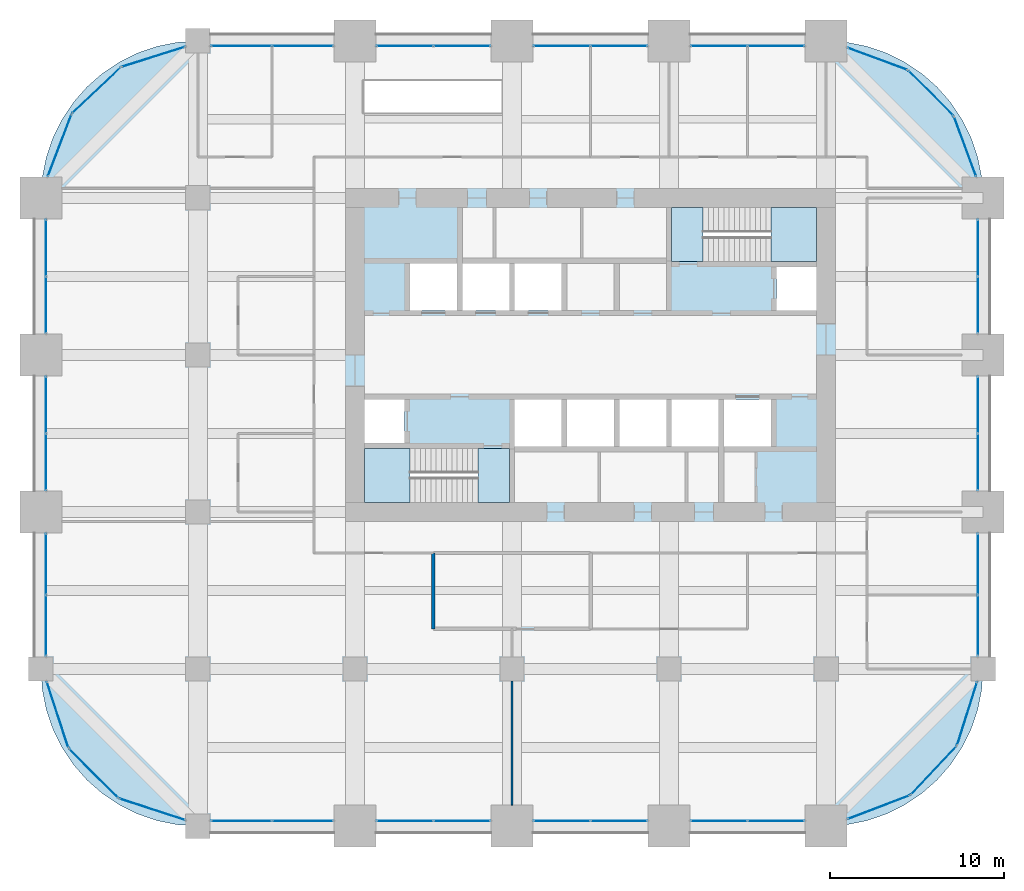
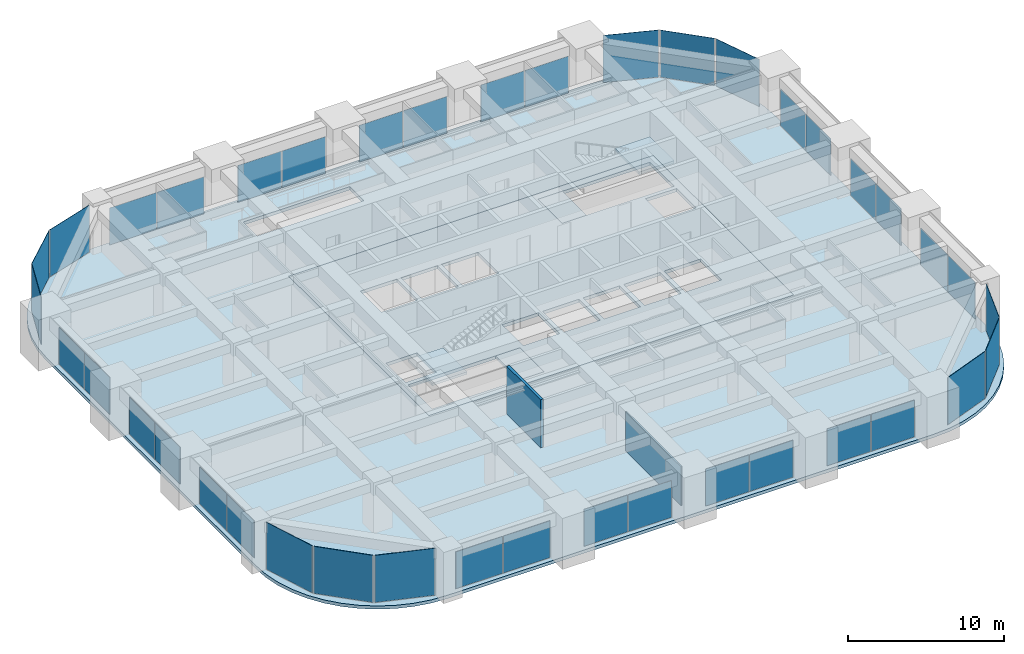
# One storey, part 28 of 32: 40 plates, 6 slabs, 2 walls, 28 elements without a shape of their own.
"""IFC4 building model written with IfcOpenShell, lengths in metres."""

from ifc_helpers import new_model, si_unit, direction, frame, frame_2d, origin, origin_2d, place, context, subcontext, project, spatial, polyline, rectangle, outline, extrude, material, layer, layer_set, type_object, element, aggregate, save


model = new_model("IFC4")

# Units and contexts
model_context = context("Model", 3, precision=1e-05, world=origin(), true_north=direction((0.0, 1.0)))
body_context = subcontext(model_context, "Body", "Model", "MODEL_VIEW")
ifc_project = project(units=[si_unit("LENGTHUNIT", "METRE"), si_unit("AREAUNIT", "SQUARE_METRE"), si_unit("VOLUMEUNIT", "CUBIC_METRE"), si_unit("PLANEANGLEUNIT", "RADIAN"), si_unit("MASSUNIT", "GRAM", prefix="KILO")], contexts=[model_context])

# Site, building, storey
site_placement = place(None, origin())
site = spatial("IfcSite", under=ifc_project, at=site_placement, CompositionType="ELEMENT")
building_placement = place(site_placement, origin())
building = spatial("IfcBuilding", under=site, at=building_placement, Name="Zorevar Civic Tower", CompositionType="ELEMENT")
storey_placement = place(building_placement, frame((0.0, 0.0, 198.199951171875)))
storey = spatial("IfcBuildingStorey", under=building, at=storey_placement, Name="L48", CompositionType="ELEMENT", Elevation=198.199951171875)

# Curtain wall, plates
ifc_material_1 = material(Name="Dark grey solar-control glass in black aluminium frame", Category="aluminium")
curtain_wall_type = type_object("IfcCurtainWallType", Name="Curtain wall CW4 high zone", PredefinedType="NOTDEFINED", material=ifc_material_1)
curtain_wall_1_placement = place(storey_placement, origin())
curtain_wall_1 = element("IfcCurtainWall", 1, at=curtain_wall_1_placement, inside=storey, type_object=curtain_wall_type, Name="CW4 L48", PredefinedType="NOTDEFINED")
ifc_material_2 = material(Name="Dark grey solar-control glass", Category="glass")
ifc_layer_1 = layer(ifc_material_2, 0.028076171875)
ifc_layer_set_1 = layer_set([ifc_layer_1], Name="CW4 panel 28")
plate_type = type_object("IfcPlateType", Name="CW4 panel 28", PredefinedType="CURTAIN_PANEL", material=ifc_layer_set_1)
plate_1_placement = place(storey_placement, frame((11.489990234375, 0.300048828125, 0.06005859375), z_axis=(0.0, 0.0, 1.0), x_axis=(1.0, 0.0, 0.0)))
plate_1 = element("IfcPlate", 2, at=plate_1_placement, type_object=plate_type, Name="CW4 panel 1.1", PredefinedType="CURTAIN_PANEL", context=body_context, shape_type="SweptSolid", body=[
    extrude(rectangle(XDim=3.4599609375, YDim=0.028076171875, at=origin_2d()), origin(), (0.0, 0.0, 1.0), 2.889892578125),
])
plate_2_placement = place(storey_placement, frame((15.010009765625, 0.300048828125, 0.06005859375), z_axis=(0.0, 0.0, 1.0), x_axis=(1.0, 0.0, 0.0)))
plate_2 = element("IfcPlate", 3, at=plate_2_placement, type_object=plate_type, Name="CW4 panel 2.1", PredefinedType="CURTAIN_PANEL", context=body_context, shape_type="SweptSolid", body=[
    extrude(rectangle(XDim=3.4599609375, YDim=0.028076171875, at=origin_2d()), origin(), (0.0, 0.0, 1.0), 2.889892578125),
])
aggregate(curtain_wall_1, [plate_1, plate_2])

curtain_wall_2_placement = place(storey_placement, origin())
curtain_wall_2 = element("IfcCurtainWall", 4, at=curtain_wall_2_placement, inside=storey, type_object=curtain_wall_type, Name="CW4 L48", PredefinedType="NOTDEFINED")
plate_3_placement = place(storey_placement, frame((11.489990234375, 44.699951171875, 0.06005859375), z_axis=(0.0, 0.0, 1.0), x_axis=(1.0, 0.0, 0.0)))
plate_3 = element("IfcPlate", 5, at=plate_3_placement, type_object=plate_type, Name="CW4 panel 1.1", PredefinedType="CURTAIN_PANEL", context=body_context, shape_type="SweptSolid", body=[
    extrude(rectangle(XDim=3.4599609375, YDim=0.028076171875, at=origin_2d()), origin(), (0.0, 0.0, 1.0), 2.889892578125),
])
plate_4_placement = place(storey_placement, frame((15.010009765625, 44.699951171875, 0.06005859375), z_axis=(0.0, 0.0, 1.0), x_axis=(1.0, 0.0, 0.0)))
plate_4 = element("IfcPlate", 6, at=plate_4_placement, type_object=plate_type, Name="CW4 panel 2.1", PredefinedType="CURTAIN_PANEL", context=body_context, shape_type="SweptSolid", body=[
    extrude(rectangle(XDim=3.4599609375, YDim=0.028076171875, at=origin_2d()), origin(), (0.0, 0.0, 1.0), 2.889892578125),
])
aggregate(curtain_wall_2, [plate_3, plate_4])

curtain_wall_3_placement = place(storey_placement, origin())
curtain_wall_3 = element("IfcCurtainWall", 7, at=curtain_wall_3_placement, inside=storey, type_object=curtain_wall_type, Name="CW4 L48", PredefinedType="NOTDEFINED")
plate_5_placement = place(storey_placement, frame((20.864990234375, 0.300048828125, 0.06005859375), z_axis=(0.0, 0.0, 1.0), x_axis=(1.0, 0.0, 0.0)))
plate_5 = element("IfcPlate", 8, at=plate_5_placement, type_object=plate_type, Name="CW4 panel 1.1", PredefinedType="CURTAIN_PANEL", context=body_context, shape_type="SweptSolid", body=[
    extrude(rectangle(XDim=3.2099609375, YDim=0.028076171875, at=origin_2d()), origin(), (0.0, 0.0, 1.0), 2.889892578125),
])
plate_6_placement = place(storey_placement, frame((24.135009765625, 0.300048828125, 0.06005859375), z_axis=(0.0, 0.0, 1.0), x_axis=(1.0, 0.0, 0.0)))
plate_6 = element("IfcPlate", 9, at=plate_6_placement, type_object=plate_type, Name="CW4 panel 2.1", PredefinedType="CURTAIN_PANEL", context=body_context, shape_type="SweptSolid", body=[
    extrude(rectangle(XDim=3.2099609375, YDim=0.028076171875, at=origin_2d()), origin(), (0.0, 0.0, 1.0), 2.889892578125),
])
aggregate(curtain_wall_3, [plate_5, plate_6])

curtain_wall_4_placement = place(storey_placement, origin())
curtain_wall_4 = element("IfcCurtainWall", 10, at=curtain_wall_4_placement, inside=storey, type_object=curtain_wall_type, Name="CW4 L48", PredefinedType="NOTDEFINED")
plate_7_placement = place(storey_placement, frame((20.864990234375, 44.699951171875, 0.06005859375), z_axis=(0.0, 0.0, 1.0), x_axis=(1.0, 0.0, 0.0)))
plate_7 = element("IfcPlate", 11, at=plate_7_placement, type_object=plate_type, Name="CW4 panel 1.1", PredefinedType="CURTAIN_PANEL", context=body_context, shape_type="SweptSolid", body=[
    extrude(rectangle(XDim=3.2099609375, YDim=0.028076171875, at=origin_2d()), origin(), (0.0, 0.0, 1.0), 2.889892578125),
])
plate_8_placement = place(storey_placement, frame((24.135009765625, 44.699951171875, 0.06005859375), z_axis=(0.0, 0.0, 1.0), x_axis=(1.0, 0.0, 0.0)))
plate_8 = element("IfcPlate", 12, at=plate_8_placement, type_object=plate_type, Name="CW4 panel 2.1", PredefinedType="CURTAIN_PANEL", context=body_context, shape_type="SweptSolid", body=[
    extrude(rectangle(XDim=3.2099609375, YDim=0.028076171875, at=origin_2d()), origin(), (0.0, 0.0, 1.0), 2.889892578125),
])
aggregate(curtain_wall_4, [plate_7, plate_8])

curtain_wall_5_placement = place(storey_placement, origin())
curtain_wall_5 = element("IfcCurtainWall", 13, at=curtain_wall_5_placement, inside=storey, type_object=curtain_wall_type, Name="CW4 L48", PredefinedType="NOTDEFINED")
plate_9_placement = place(storey_placement, frame((29.864990234375, 0.300048828125, 0.06005859375), z_axis=(0.0, 0.0, 1.0), x_axis=(1.0, 0.0, 0.0)))
plate_9 = element("IfcPlate", 14, at=plate_9_placement, type_object=plate_type, Name="CW4 panel 1.1", PredefinedType="CURTAIN_PANEL", context=body_context, shape_type="SweptSolid", body=[
    extrude(rectangle(XDim=3.2099609375, YDim=0.028076171875, at=origin_2d()), origin(), (0.0, 0.0, 1.0), 2.889892578125),
])
plate_10_placement = place(storey_placement, frame((33.135009765625, 0.300048828125, 0.06005859375), z_axis=(0.0, 0.0, 1.0), x_axis=(1.0, 0.0, 0.0)))
plate_10 = element("IfcPlate", 15, at=plate_10_placement, type_object=plate_type, Name="CW4 panel 2.1", PredefinedType="CURTAIN_PANEL", context=body_context, shape_type="SweptSolid", body=[
    extrude(rectangle(XDim=3.2099609375, YDim=0.028076171875, at=origin_2d()), origin(), (0.0, 0.0, 1.0), 2.889892578125),
])
aggregate(curtain_wall_5, [plate_9, plate_10])

curtain_wall_6_placement = place(storey_placement, origin())
curtain_wall_6 = element("IfcCurtainWall", 16, at=curtain_wall_6_placement, inside=storey, type_object=curtain_wall_type, Name="CW4 L48", PredefinedType="NOTDEFINED")
plate_11_placement = place(storey_placement, frame((29.864990234375, 44.699951171875, 0.06005859375), z_axis=(0.0, 0.0, 1.0), x_axis=(1.0, 0.0, 0.0)))
plate_11 = element("IfcPlate", 17, at=plate_11_placement, type_object=plate_type, Name="CW4 panel 1.1", PredefinedType="CURTAIN_PANEL", context=body_context, shape_type="SweptSolid", body=[
    extrude(rectangle(XDim=3.2099609375, YDim=0.028076171875, at=origin_2d()), origin(), (0.0, 0.0, 1.0), 2.889892578125),
])
plate_12_placement = place(storey_placement, frame((33.135009765625, 44.699951171875, 0.06005859375), z_axis=(0.0, 0.0, 1.0), x_axis=(1.0, 0.0, 0.0)))
plate_12 = element("IfcPlate", 18, at=plate_12_placement, type_object=plate_type, Name="CW4 panel 2.1", PredefinedType="CURTAIN_PANEL", context=body_context, shape_type="SweptSolid", body=[
    extrude(rectangle(XDim=3.2099609375, YDim=0.028076171875, at=origin_2d()), origin(), (0.0, 0.0, 1.0), 2.889892578125),
])
aggregate(curtain_wall_6, [plate_11, plate_12])

curtain_wall_7_placement = place(storey_placement, origin())
curtain_wall_7 = element("IfcCurtainWall", 19, at=curtain_wall_7_placement, inside=storey, type_object=curtain_wall_type, Name="CW4 L48", PredefinedType="NOTDEFINED")
plate_13_placement = place(storey_placement, frame((38.864990234375, 0.300048828125, 0.06005859375), z_axis=(0.0, 0.0, 1.0), x_axis=(1.0, 0.0, 0.0)))
plate_13 = element("IfcPlate", 20, at=plate_13_placement, type_object=plate_type, Name="CW4 panel 1.1", PredefinedType="CURTAIN_PANEL", context=body_context, shape_type="SweptSolid", body=[
    extrude(rectangle(XDim=3.2099609375, YDim=0.028076171875, at=origin_2d()), origin(), (0.0, 0.0, 1.0), 2.889892578125),
])
plate_14_placement = place(storey_placement, frame((42.135009765625, 0.300048828125, 0.06005859375), z_axis=(0.0, 0.0, 1.0), x_axis=(1.0, 0.0, 0.0)))
plate_14 = element("IfcPlate", 21, at=plate_14_placement, type_object=plate_type, Name="CW4 panel 2.1", PredefinedType="CURTAIN_PANEL", context=body_context, shape_type="SweptSolid", body=[
    extrude(rectangle(XDim=3.2099609375, YDim=0.028076171875, at=origin_2d()), origin(), (0.0, 0.0, 1.0), 2.889892578125),
])
aggregate(curtain_wall_7, [plate_13, plate_14])

curtain_wall_8_placement = place(storey_placement, origin())
curtain_wall_8 = element("IfcCurtainWall", 22, at=curtain_wall_8_placement, inside=storey, type_object=curtain_wall_type, Name="CW4 L48", PredefinedType="NOTDEFINED")
plate_15_placement = place(storey_placement, frame((38.864990234375, 44.699951171875, 0.06005859375), z_axis=(0.0, 0.0, 1.0), x_axis=(1.0, 0.0, 0.0)))
plate_15 = element("IfcPlate", 23, at=plate_15_placement, type_object=plate_type, Name="CW4 panel 1.1", PredefinedType="CURTAIN_PANEL", context=body_context, shape_type="SweptSolid", body=[
    extrude(rectangle(XDim=3.2099609375, YDim=0.028076171875, at=origin_2d()), origin(), (0.0, 0.0, 1.0), 2.889892578125),
])
plate_16_placement = place(storey_placement, frame((42.135009765625, 44.699951171875, 0.06005859375), z_axis=(0.0, 0.0, 1.0), x_axis=(1.0, 0.0, 0.0)))
plate_16 = element("IfcPlate", 24, at=plate_16_placement, type_object=plate_type, Name="CW4 panel 2.1", PredefinedType="CURTAIN_PANEL", context=body_context, shape_type="SweptSolid", body=[
    extrude(rectangle(XDim=3.2099609375, YDim=0.028076171875, at=origin_2d()), origin(), (0.0, 0.0, 1.0), 2.889892578125),
])
aggregate(curtain_wall_8, [plate_15, plate_16])

curtain_wall_9_placement = place(storey_placement, origin())
curtain_wall_9 = element("IfcCurtainWall", 25, at=curtain_wall_9_placement, inside=storey, type_object=curtain_wall_type, Name="CW4 L48", PredefinedType="NOTDEFINED")
plate_17_placement = place(storey_placement, frame((0.300048828125, 11.489990234375, 0.06005859375), z_axis=(0.0, 0.0, 1.0), x_axis=(0.0, 1.0, 0.0)))
plate_17 = element("IfcPlate", 26, at=plate_17_placement, type_object=plate_type, Name="CW4 panel 1.1", PredefinedType="CURTAIN_PANEL", context=body_context, shape_type="SweptSolid", body=[
    extrude(rectangle(XDim=3.4599609375, YDim=0.028076171875, at=origin_2d()), origin(), (0.0, 0.0, 1.0), 2.889892578125),
])
plate_18_placement = place(storey_placement, frame((0.300048828125, 15.010009765625, 0.06005859375), z_axis=(0.0, 0.0, 1.0), x_axis=(0.0, 1.0, 0.0)))
plate_18 = element("IfcPlate", 27, at=plate_18_placement, type_object=plate_type, Name="CW4 panel 2.1", PredefinedType="CURTAIN_PANEL", context=body_context, shape_type="SweptSolid", body=[
    extrude(rectangle(XDim=3.4599609375, YDim=0.028076171875, at=origin_2d()), origin(), (0.0, 0.0, 1.0), 2.889892578125),
])
aggregate(curtain_wall_9, [plate_17, plate_18])

curtain_wall_10_placement = place(storey_placement, origin())
curtain_wall_10 = element("IfcCurtainWall", 28, at=curtain_wall_10_placement, inside=storey, type_object=curtain_wall_type, Name="CW4 L48", PredefinedType="NOTDEFINED")
plate_19_placement = place(storey_placement, frame((53.699951171875, 11.489990234375, 0.06005859375), z_axis=(0.0, 0.0, 1.0), x_axis=(0.0, 1.0, 0.0)))
plate_19 = element("IfcPlate", 29, at=plate_19_placement, type_object=plate_type, Name="CW4 panel 1.1", PredefinedType="CURTAIN_PANEL", context=body_context, shape_type="SweptSolid", body=[
    extrude(rectangle(XDim=3.4599609375, YDim=0.028076171875, at=origin_2d()), origin(), (0.0, 0.0, 1.0), 2.889892578125),
])
plate_20_placement = place(storey_placement, frame((53.699951171875, 15.010009765625, 0.06005859375), z_axis=(0.0, 0.0, 1.0), x_axis=(0.0, 1.0, 0.0)))
plate_20 = element("IfcPlate", 30, at=plate_20_placement, type_object=plate_type, Name="CW4 panel 2.1", PredefinedType="CURTAIN_PANEL", context=body_context, shape_type="SweptSolid", body=[
    extrude(rectangle(XDim=3.4599609375, YDim=0.028076171875, at=origin_2d()), origin(), (0.0, 0.0, 1.0), 2.889892578125),
])
aggregate(curtain_wall_10, [plate_19, plate_20])

curtain_wall_11_placement = place(storey_placement, origin())
curtain_wall_11 = element("IfcCurtainWall", 31, at=curtain_wall_11_placement, inside=storey, type_object=curtain_wall_type, Name="CW4 L48", PredefinedType="NOTDEFINED")
plate_21_placement = place(storey_placement, frame((0.300048828125, 20.864990234375, 0.06005859375), z_axis=(0.0, 0.0, 1.0), x_axis=(0.0, 1.0, 0.0)))
plate_21 = element("IfcPlate", 32, at=plate_21_placement, type_object=plate_type, Name="CW4 panel 1.1", PredefinedType="CURTAIN_PANEL", context=body_context, shape_type="SweptSolid", body=[
    extrude(rectangle(XDim=3.2099609375, YDim=0.028076171875, at=origin_2d()), origin(), (0.0, 0.0, 1.0), 2.889892578125),
])
plate_22_placement = place(storey_placement, frame((0.300048828125, 24.135009765625, 0.06005859375), z_axis=(0.0, 0.0, 1.0), x_axis=(0.0, 1.0, 0.0)))
plate_22 = element("IfcPlate", 33, at=plate_22_placement, type_object=plate_type, Name="CW4 panel 2.1", PredefinedType="CURTAIN_PANEL", context=body_context, shape_type="SweptSolid", body=[
    extrude(rectangle(XDim=3.2099609375, YDim=0.028076171875, at=origin_2d()), origin(), (0.0, 0.0, 1.0), 2.889892578125),
])
aggregate(curtain_wall_11, [plate_21, plate_22])

curtain_wall_12_placement = place(storey_placement, origin())
curtain_wall_12 = element("IfcCurtainWall", 34, at=curtain_wall_12_placement, inside=storey, type_object=curtain_wall_type, Name="CW4 L48", PredefinedType="NOTDEFINED")
plate_23_placement = place(storey_placement, frame((53.699951171875, 20.864990234375, 0.06005859375), z_axis=(0.0, 0.0, 1.0), x_axis=(0.0, 1.0, 0.0)))
plate_23 = element("IfcPlate", 35, at=plate_23_placement, type_object=plate_type, Name="CW4 panel 1.1", PredefinedType="CURTAIN_PANEL", context=body_context, shape_type="SweptSolid", body=[
    extrude(rectangle(XDim=3.2099609375, YDim=0.028076171875, at=origin_2d()), origin(), (0.0, 0.0, 1.0), 2.889892578125),
])
plate_24_placement = place(storey_placement, frame((53.699951171875, 24.135009765625, 0.06005859375), z_axis=(0.0, 0.0, 1.0), x_axis=(0.0, 1.0, 0.0)))
plate_24 = element("IfcPlate", 36, at=plate_24_placement, type_object=plate_type, Name="CW4 panel 2.1", PredefinedType="CURTAIN_PANEL", context=body_context, shape_type="SweptSolid", body=[
    extrude(rectangle(XDim=3.2099609375, YDim=0.028076171875, at=origin_2d()), origin(), (0.0, 0.0, 1.0), 2.889892578125),
])
aggregate(curtain_wall_12, [plate_23, plate_24])

curtain_wall_13_placement = place(storey_placement, origin())
curtain_wall_13 = element("IfcCurtainWall", 37, at=curtain_wall_13_placement, inside=storey, type_object=curtain_wall_type, Name="CW4 L48", PredefinedType="NOTDEFINED")
plate_25_placement = place(storey_placement, frame((0.300048828125, 29.864990234375, 0.06005859375), z_axis=(0.0, 0.0, 1.0), x_axis=(0.0, 1.0, 0.0)))
plate_25 = element("IfcPlate", 38, at=plate_25_placement, type_object=plate_type, Name="CW4 panel 1.1", PredefinedType="CURTAIN_PANEL", context=body_context, shape_type="SweptSolid", body=[
    extrude(rectangle(XDim=3.2099609375, YDim=0.028076171875, at=origin_2d()), origin(), (0.0, 0.0, 1.0), 2.889892578125),
])
plate_26_placement = place(storey_placement, frame((0.300048828125, 33.135009765625, 0.06005859375), z_axis=(0.0, 0.0, 1.0), x_axis=(0.0, 1.0, 0.0)))
plate_26 = element("IfcPlate", 39, at=plate_26_placement, type_object=plate_type, Name="CW4 panel 2.1", PredefinedType="CURTAIN_PANEL", context=body_context, shape_type="SweptSolid", body=[
    extrude(rectangle(XDim=3.2099609375, YDim=0.028076171875, at=origin_2d()), origin(), (0.0, 0.0, 1.0), 2.889892578125),
])
aggregate(curtain_wall_13, [plate_25, plate_26])

curtain_wall_14_placement = place(storey_placement, origin())
curtain_wall_14 = element("IfcCurtainWall", 40, at=curtain_wall_14_placement, inside=storey, type_object=curtain_wall_type, Name="CW4 L48", PredefinedType="NOTDEFINED")
plate_27_placement = place(storey_placement, frame((53.699951171875, 29.864990234375, 0.06005859375), z_axis=(0.0, 0.0, 1.0), x_axis=(0.0, 1.0, 0.0)))
plate_27 = element("IfcPlate", 41, at=plate_27_placement, type_object=plate_type, Name="CW4 panel 1.1", PredefinedType="CURTAIN_PANEL", context=body_context, shape_type="SweptSolid", body=[
    extrude(rectangle(XDim=3.2099609375, YDim=0.028076171875, at=origin_2d()), origin(), (0.0, 0.0, 1.0), 2.889892578125),
])
plate_28_placement = place(storey_placement, frame((53.699951171875, 33.135009765625, 0.06005859375), z_axis=(0.0, 0.0, 1.0), x_axis=(0.0, 1.0, 0.0)))
plate_28 = element("IfcPlate", 42, at=plate_28_placement, type_object=plate_type, Name="CW4 panel 2.1", PredefinedType="CURTAIN_PANEL", context=body_context, shape_type="SweptSolid", body=[
    extrude(rectangle(XDim=3.2099609375, YDim=0.028076171875, at=origin_2d()), origin(), (0.0, 0.0, 1.0), 2.889892578125),
])
aggregate(curtain_wall_14, [plate_27, plate_28])

# Curtain wall, plate
curtain_wall_15_placement = place(storey_placement, origin())
curtain_wall_15 = element("IfcCurtainWall", 43, at=curtain_wall_15_placement, inside=storey, type_object=curtain_wall_type, Name="CW4 L48", PredefinedType="NOTDEFINED")
plate_29_placement = place(storey_placement, frame((48.0166015625, 1.07470703125, 0.06005859375), z_axis=(0.0, 0.0, 1.0), x_axis=(0.93458842801, 0.355730895803, 0.0)))
plate_29 = element("IfcPlate", 44, at=plate_29_placement, type_object=plate_type, Name="CW4 panel 1.1", PredefinedType="CURTAIN_PANEL", context=body_context, shape_type="SweptSolid", body=[
    extrude(rectangle(XDim=3.767333984375, YDim=0.028076171875, at=origin_2d()), origin(), (0.0, 0.0, 1.0), 3.68994140625),
])
aggregate(curtain_wall_15, [plate_29])

curtain_wall_16_placement = place(storey_placement, origin())
curtain_wall_16 = element("IfcCurtainWall", 45, at=curtain_wall_16_placement, inside=storey, type_object=curtain_wall_type, Name="CW4 L48", PredefinedType="NOTDEFINED")
plate_30_placement = place(storey_placement, frame((51.167236328125, 3.179443359375, 0.06005859375), z_axis=(0.0, 0.0, 1.0), x_axis=(0.686377907265, 0.727245053898, 0.0)))
plate_30 = element("IfcPlate", 46, at=plate_30_placement, type_object=plate_type, Name="CW4 panel 1.1", PredefinedType="CURTAIN_PANEL", context=body_context, shape_type="SweptSolid", body=[
    extrude(rectangle(XDim=3.767333984375, YDim=0.028076171875, at=origin_2d()), origin(), (0.0, 0.0, 1.0), 3.68994140625),
])
aggregate(curtain_wall_16, [plate_30])

curtain_wall_17_placement = place(storey_placement, origin())
curtain_wall_17 = element("IfcCurtainWall", 47, at=curtain_wall_17_placement, inside=storey, type_object=curtain_wall_type, Name="CW4 L48", PredefinedType="NOTDEFINED")
plate_31_placement = place(storey_placement, frame((53.08642578125, 6.446533203125, 0.06005859375), z_axis=(0.0, 0.0, 1.0), x_axis=(0.301108296077, 0.953589950678, 0.0)))
plate_31 = element("IfcPlate", 48, at=plate_31_placement, type_object=plate_type, Name="CW4 panel 1.1", PredefinedType="CURTAIN_PANEL", context=body_context, shape_type="SweptSolid", body=[
    extrude(rectangle(XDim=3.767333984375, YDim=0.028076171875, at=origin_2d()), origin(), (0.0, 0.0, 1.0), 3.68994140625),
])
aggregate(curtain_wall_17, [plate_31])

curtain_wall_18_placement = place(storey_placement, origin())
curtain_wall_18 = element("IfcCurtainWall", 49, at=curtain_wall_18_placement, inside=storey, type_object=curtain_wall_type, Name="CW4 L48", PredefinedType="NOTDEFINED")
plate_32_placement = place(storey_placement, frame((52.97119140625, 38.9462890625, 0.06005859375), z_axis=(0.0, 0.0, 1.0), x_axis=(-0.346704012033, 0.937974588163, 0.0)))
plate_32 = element("IfcPlate", 50, at=plate_32_placement, type_object=plate_type, Name="CW4 panel 1.1", PredefinedType="CURTAIN_PANEL", context=body_context, shape_type="SweptSolid", body=[
    extrude(rectangle(XDim=3.603759765625, YDim=0.028076171875, at=origin_2d()), origin(), (0.0, 0.0, 1.0), 3.68994140625),
])
aggregate(curtain_wall_18, [plate_32])

curtain_wall_19_placement = place(storey_placement, origin())
curtain_wall_19 = element("IfcCurtainWall", 51, at=curtain_wall_19_placement, inside=storey, type_object=curtain_wall_type, Name="CW4 L48", PredefinedType="NOTDEFINED")
plate_33_placement = place(storey_placement, frame((51.00927734375, 42.00927734375, 0.06005859375), z_axis=(0.0, 0.0, 1.0), x_axis=(-0.707106781187, 0.707106781187, 0.0)))
plate_33 = element("IfcPlate", 52, at=plate_33_placement, type_object=plate_type, Name="CW4 panel 1.1", PredefinedType="CURTAIN_PANEL", context=body_context, shape_type="SweptSolid", body=[
    extrude(rectangle(XDim=3.603759765625, YDim=0.028076171875, at=origin_2d()), origin(), (0.0, 0.0, 1.0), 3.68994140625),
])
aggregate(curtain_wall_19, [plate_33])

curtain_wall_20_placement = place(storey_placement, origin())
curtain_wall_20 = element("IfcCurtainWall", 53, at=curtain_wall_20_placement, inside=storey, type_object=curtain_wall_type, Name="CW4 L48", PredefinedType="NOTDEFINED")
plate_34_placement = place(storey_placement, frame((47.9462890625, 43.97119140625, 0.06005859375), z_axis=(0.0, 0.0, 1.0), x_axis=(-0.937974588163, 0.346704012033, 0.0)))
plate_34 = element("IfcPlate", 54, at=plate_34_placement, type_object=plate_type, Name="CW4 panel 1.1", PredefinedType="CURTAIN_PANEL", context=body_context, shape_type="SweptSolid", body=[
    extrude(rectangle(XDim=3.603759765625, YDim=0.028076171875, at=origin_2d()), origin(), (0.0, 0.0, 1.0), 3.68994140625),
])
aggregate(curtain_wall_20, [plate_34])

curtain_wall_21_placement = place(storey_placement, origin())
curtain_wall_21 = element("IfcCurtainWall", 55, at=curtain_wall_21_placement, inside=storey, type_object=curtain_wall_type, Name="CW4 L48", PredefinedType="NOTDEFINED")
plate_35_placement = place(storey_placement, frame((6.446533203125, 44.08642578125, 0.06005859375), z_axis=(0.0, 0.0, 1.0), x_axis=(-0.953589950678, -0.301108296077, 0.0)))
plate_35 = element("IfcPlate", 56, at=plate_35_placement, type_object=plate_type, Name="CW4 panel 1.1", PredefinedType="CURTAIN_PANEL", context=body_context, shape_type="SweptSolid", body=[
    extrude(rectangle(XDim=3.767333984375, YDim=0.028076171875, at=origin_2d()), origin(), (0.0, 0.0, 1.0), 3.68994140625),
])
aggregate(curtain_wall_21, [plate_35])

curtain_wall_22_placement = place(storey_placement, origin())
curtain_wall_22 = element("IfcCurtainWall", 57, at=curtain_wall_22_placement, inside=storey, type_object=curtain_wall_type, Name="CW4 L48", PredefinedType="NOTDEFINED")
plate_36_placement = place(storey_placement, frame((3.179443359375, 42.167236328125, 0.06005859375), z_axis=(0.0, 0.0, 1.0), x_axis=(-0.727245053898, -0.686377907265, 0.0)))
plate_36 = element("IfcPlate", 58, at=plate_36_placement, type_object=plate_type, Name="CW4 panel 1.1", PredefinedType="CURTAIN_PANEL", context=body_context, shape_type="SweptSolid", body=[
    extrude(rectangle(XDim=3.767333984375, YDim=0.028076171875, at=origin_2d()), origin(), (0.0, 0.0, 1.0), 3.68994140625),
])
aggregate(curtain_wall_22, [plate_36])

curtain_wall_23_placement = place(storey_placement, origin())
curtain_wall_23 = element("IfcCurtainWall", 59, at=curtain_wall_23_placement, inside=storey, type_object=curtain_wall_type, Name="CW4 L48", PredefinedType="NOTDEFINED")
plate_37_placement = place(storey_placement, frame((1.07470703125, 39.0166015625, 0.06005859375), z_axis=(0.0, 0.0, 1.0), x_axis=(-0.355730895803, -0.93458842801, 0.0)))
plate_37 = element("IfcPlate", 60, at=plate_37_placement, type_object=plate_type, Name="CW4 panel 1.1", PredefinedType="CURTAIN_PANEL", context=body_context, shape_type="SweptSolid", body=[
    extrude(rectangle(XDim=3.767333984375, YDim=0.028076171875, at=origin_2d()), origin(), (0.0, 0.0, 1.0), 3.68994140625),
])
aggregate(curtain_wall_23, [plate_37])

curtain_wall_24_placement = place(storey_placement, origin())
curtain_wall_24 = element("IfcCurtainWall", 61, at=curtain_wall_24_placement, inside=storey, type_object=curtain_wall_type, Name="CW4 L48", PredefinedType="NOTDEFINED")
plate_38_placement = place(storey_placement, frame((0.956787109375, 6.374755859375, 0.06005859375), z_axis=(0.0, 0.0, 1.0), x_axis=(0.310281419775, -0.950644749916, 0.0)))
plate_38 = element("IfcPlate", 62, at=plate_38_placement, type_object=plate_type, Name="CW4 panel 1.1", PredefinedType="CURTAIN_PANEL", context=body_context, shape_type="SweptSolid", body=[
    extrude(rectangle(XDim=3.9306640625, YDim=0.028076171875, at=origin_2d()), origin(), (0.0, 0.0, 1.0), 3.68994140625),
])
aggregate(curtain_wall_24, [plate_38])

curtain_wall_25_placement = place(storey_placement, origin())
curtain_wall_25 = element("IfcCurtainWall", 63, at=curtain_wall_25_placement, inside=storey, type_object=curtain_wall_type, Name="CW4 L48", PredefinedType="NOTDEFINED")
plate_39_placement = place(storey_placement, frame((3.01708984375, 3.01708984375, 0.06005859375), z_axis=(0.0, 0.0, 1.0), x_axis=(0.707106781187, -0.707106781187, 0.0)))
plate_39 = element("IfcPlate", 64, at=plate_39_placement, type_object=plate_type, Name="CW4 panel 1.1", PredefinedType="CURTAIN_PANEL", context=body_context, shape_type="SweptSolid", body=[
    extrude(rectangle(XDim=3.9306640625, YDim=0.028076171875, at=origin_2d()), origin(), (0.0, 0.0, 1.0), 3.68994140625),
])
aggregate(curtain_wall_25, [plate_39])

curtain_wall_26_placement = place(storey_placement, origin())
curtain_wall_26 = element("IfcCurtainWall", 65, at=curtain_wall_26_placement, inside=storey, type_object=curtain_wall_type, Name="CW4 L48", PredefinedType="NOTDEFINED")
plate_40_placement = place(storey_placement, frame((6.374755859375, 0.956787109375, 0.06005859375), z_axis=(0.0, 0.0, 1.0), x_axis=(0.950644749916, -0.310281419775, 0.0)))
plate_40 = element("IfcPlate", 66, at=plate_40_placement, type_object=plate_type, Name="CW4 panel 1.1", PredefinedType="CURTAIN_PANEL", context=body_context, shape_type="SweptSolid", body=[
    extrude(rectangle(XDim=3.9306640625, YDim=0.028076171875, at=origin_2d()), origin(), (0.0, 0.0, 1.0), 3.68994140625),
])
aggregate(curtain_wall_26, [plate_40])

# Slabs
ifc_material_3 = material(Name="Concrete C40/50", Category="concrete")
ifc_layer_2 = layer(ifc_material_3, 0.25)
ifc_layer_set_2 = layer_set([ifc_layer_2], Name="Floor slab 250")
slab_type_1 = type_object("IfcSlabType", Name="Floor slab 250", PredefinedType="FLOOR", material=ifc_layer_set_2)
slab_1_placement = place(storey_placement, frame((0.0, 0.0, -0.25)))
element("IfcSlab", 67, at=slab_1_placement, inside=storey, type_object=slab_type_1, Name="Floor slab L48", PredefinedType="FLOOR", context=body_context, shape_type="SweptSolid", body=[
    extrude(outline(polyline([(45.0, 0.0), (46.1748046875, 0.076904296875), (47.329345703125, 0.306640625), (48.444091796875, 0.68505859375), (49.5, 1.205810546875), (50.478759765625, 1.85986328125), (51.364013671875, 2.635986328125), (52.14013671875, 3.521240234375), (52.794189453125, 4.5), (53.31494140625, 5.555908203125), (53.693359375, 6.670654296875), (53.923095703125, 7.8251953125), (54.0, 9.0), (54.0, 36.0), (53.923095703125, 37.1748046875), (53.693359375, 38.329345703125), (53.31494140625, 39.444091796875), (52.794189453125, 40.5), (52.14013671875, 41.478759765625), (51.364013671875, 42.364013671875), (50.478759765625, 43.14013671875), (49.5, 43.794189453125), (48.444091796875, 44.31494140625), (47.329345703125, 44.693359375), (46.1748046875, 44.923095703125), (45.0, 45.0), (9.0, 45.0), (7.8251953125, 44.923095703125), (6.670654296875, 44.693359375), (5.555908203125, 44.31494140625), (4.5, 43.794189453125), (3.521240234375, 43.14013671875), (2.635986328125, 42.364013671875), (1.85986328125, 41.478759765625), (1.205810546875, 40.5), (0.68505859375, 39.444091796875), (0.306640625, 38.329345703125), (0.076904296875, 37.1748046875), (0.0, 36.0), (0.0, 9.0), (0.076904296875, 7.8251953125), (0.306640625, 6.670654296875), (0.68505859375, 5.555908203125), (1.205810546875, 4.5), (1.85986328125, 3.521240234375), (2.635986328125, 2.635986328125), (3.521240234375, 1.85986328125), (4.5, 1.205810546875), (5.555908203125, 0.68505859375), (6.670654296875, 0.306640625), (7.8251953125, 0.076904296875), (9.0, 0.0), (45.0, 0.0)]), holes=[polyline([(18.0, 18.0), (45.0, 18.0), (45.0, 36.0), (18.0, 36.0), (18.0, 18.0)]), polyline([(18.5, 40.89990234375), (26.39990234375, 40.89990234375), (26.39990234375, 42.699951171875), (18.5, 42.699951171875), (18.5, 40.89990234375)])]), origin(), (0.0, 0.0, 1.0), 0.25),
])
slab_2_placement = place(storey_placement, frame((0.0, 0.0, -0.25)))
element("IfcSlab", 68, at=slab_2_placement, inside=storey, type_object=slab_type_1, Name="Core floor L48", PredefinedType="FLOOR", context=body_context, shape_type="SweptSolid", body=[
    extrude(outline(polyline([(18.0, 18.0), (45.0, 18.0), (45.0, 36.0), (18.0, 36.0), (18.0, 18.0)]), holes=[polyline([(18.550048828125, 18.550048828125), (26.85009765625, 18.550048828125), (26.85009765625, 21.64990234375), (18.550048828125, 21.64990234375), (18.550048828125, 18.550048828125)]), polyline([(36.14990234375, 32.35009765625), (44.449951171875, 32.35009765625), (44.449951171875, 35.449951171875), (36.14990234375, 35.449951171875), (36.14990234375, 32.35009765625)]), polyline([(18.550048828125, 21.949951171875), (20.85009765625, 21.949951171875), (20.85009765625, 24.449951171875), (18.550048828125, 24.449951171875), (18.550048828125, 21.949951171875)]), polyline([(42.14990234375, 29.550048828125), (44.449951171875, 29.550048828125), (44.449951171875, 32.050048828125), (42.14990234375, 32.050048828125), (42.14990234375, 29.550048828125)]), polyline([(27.14990234375, 21.75), (29.85009765625, 21.75), (29.85009765625, 24.449951171875), (27.14990234375, 24.449951171875), (27.14990234375, 21.75)]), polyline([(30.14990234375, 21.75), (32.85009765625, 21.75), (32.85009765625, 24.449951171875), (30.14990234375, 24.449951171875), (30.14990234375, 21.75)]), polyline([(33.14990234375, 21.75), (35.85009765625, 21.75), (35.85009765625, 24.449951171875), (33.14990234375, 24.449951171875), (33.14990234375, 21.75)]), polyline([(27.14990234375, 29.550048828125), (29.85009765625, 29.550048828125), (29.85009765625, 32.25), (27.14990234375, 32.25), (27.14990234375, 29.550048828125)]), polyline([(36.14990234375, 21.75), (38.85009765625, 21.75), (38.85009765625, 24.449951171875), (36.14990234375, 24.449951171875), (36.14990234375, 21.75)]), polyline([(24.14990234375, 29.550048828125), (26.85009765625, 29.550048828125), (26.85009765625, 32.25), (24.14990234375, 32.25), (24.14990234375, 29.550048828125)]), polyline([(39.14990234375, 21.75), (41.85009765625, 21.75), (41.85009765625, 24.449951171875), (39.14990234375, 24.449951171875), (39.14990234375, 21.75)]), polyline([(21.14990234375, 29.550048828125), (23.85009765625, 29.550048828125), (23.85009765625, 32.25), (21.14990234375, 32.25), (21.14990234375, 29.550048828125)])]), origin(), (0.0, 0.0, 1.0), 0.25),
])

# Stair, slabs
ifc_material_4 = material(Name="Precast concrete C40/50", Category="concrete")
stair_type = type_object("IfcStairType", Name="Stair ST 28R", PredefinedType="HALF_TURN_STAIR", material=ifc_material_4)
stair_1_placement = place(storey_placement, origin())
stair_1 = element("IfcStair", 69, at=stair_1_placement, inside=storey, type_object=stair_type, Name="Stair ST1 L48", PredefinedType="HALF_TURN_STAIR")
ifc_material_5 = material(Name="Concrete C40/50", Category="concrete")
ifc_layer_3 = layer(ifc_material_5, 0.199951171875)
ifc_layer_set_3 = layer_set([ifc_layer_3], Name="Stair landing 200")
slab_type_2 = type_object("IfcSlabType", Name="Stair landing 200", PredefinedType="LANDING", material=ifc_layer_set_3)
slab_3_placement = place(storey_placement, frame((0.0, 0.0, -0.199951171875)))
slab_3 = element("IfcSlab", 70, at=slab_3_placement, type_object=slab_type_2, Name="ST1 landing 1", PredefinedType="LANDING", context=body_context, shape_type="SweptSolid", body=[
    extrude(outline(polyline([(25.050048828125, 18.550048828125), (26.85009765625, 18.550048828125), (26.85009765625, 21.64990234375), (25.050048828125, 21.64990234375), (25.050048828125, 18.550048828125)])), origin(), (0.0, 0.0, 1.0), 0.199951171875),
])
slab_4_placement = place(storey_placement, frame((0.0, 0.0, 1.800048828125)))
slab_4 = element("IfcSlab", 71, at=slab_4_placement, type_object=slab_type_2, Name="ST1 landing 2", PredefinedType="LANDING", context=body_context, shape_type="SweptSolid", body=[
    extrude(outline(polyline([(18.550048828125, 18.550048828125), (21.14990234375, 18.550048828125), (21.14990234375, 21.64990234375), (18.550048828125, 21.64990234375), (18.550048828125, 18.550048828125)])), origin(), (0.0, 0.0, 1.0), 0.199951171875),
])
aggregate(stair_1, [slab_3, slab_4])

stair_2_placement = place(storey_placement, origin())
stair_2 = element("IfcStair", 72, at=stair_2_placement, inside=storey, type_object=stair_type, Name="Stair ST2 L48", PredefinedType="HALF_TURN_STAIR")
slab_5_placement = place(storey_placement, frame((0.0, 0.0, -0.199951171875)))
slab_5 = element("IfcSlab", 73, at=slab_5_placement, type_object=slab_type_2, Name="ST2 landing 1", PredefinedType="LANDING", context=body_context, shape_type="SweptSolid", body=[
    extrude(outline(polyline([(37.949951171875, 32.35009765625), (36.14990234375, 32.35009765625), (36.14990234375, 35.449951171875), (37.949951171875, 35.449951171875), (37.949951171875, 32.35009765625)])), origin(), (0.0, 0.0, 1.0), 0.199951171875),
])
slab_6_placement = place(storey_placement, frame((0.0, 0.0, 1.800048828125)))
slab_6 = element("IfcSlab", 74, at=slab_6_placement, type_object=slab_type_2, Name="ST2 landing 2", PredefinedType="LANDING", context=body_context, shape_type="SweptSolid", body=[
    extrude(outline(polyline([(44.449951171875, 32.35009765625), (41.85009765625, 32.35009765625), (41.85009765625, 35.449951171875), (44.449951171875, 35.449951171875), (44.449951171875, 32.35009765625)])), origin(), (0.0, 0.0, 1.0), 0.199951171875),
])
aggregate(stair_2, [slab_5, slab_6])

# Walls
ifc_material_6 = material(Name="Concrete blockwork", Category="masonry")
ifc_layer_4 = layer(ifc_material_6, 0.199951171875)
ifc_layer_set_4 = layer_set([ifc_layer_4], Name="Blockwork wall 200")
wall_type_1 = type_object("IfcWallType", Name="Blockwork wall 200", PredefinedType="SOLIDWALL", material=ifc_layer_set_4)
wall_1_placement = place(storey_placement, frame((22.5, 11.300048828125, 0.0), z_axis=(0.0, 0.0, 1.0), x_axis=(0.0, 1.0, 0.0)))
element("IfcWall", 75, at=wall_1_placement, inside=storey, type_object=wall_type_1, Name="Blockwork wall 200 L48", PredefinedType="SOLIDWALL", context=body_context, shape_type="SweptSolid", body=[
    extrude(rectangle(XDim=4.349853515625, YDim=0.199951171875, at=frame_2d((2.1748046875, 0.0))), origin(), (0.0, 0.0, 1.0), 3.75),
])
ifc_material_7 = material(Name="Laminated glass in black aluminium frame", Category="aluminium")
ifc_layer_5 = layer(ifc_material_7, 0.10009765625)
ifc_layer_set_5 = layer_set([ifc_layer_5], Name="Glazed partition 100")
wall_type_2 = type_object("IfcWallType", Name="Glazed partition 100", PredefinedType="PARTITIONING", material=ifc_layer_set_5)
wall_2_placement = place(storey_placement, frame((27.0, 1.199951171875, 0.0), z_axis=(0.0, 0.0, 1.0), x_axis=(0.0, 1.0, 0.0)))
element("IfcWall", 76, at=wall_2_placement, inside=storey, type_object=wall_type_2, Name="Glazed partition 100 L48", PredefinedType="PARTITIONING", context=body_context, shape_type="SweptSolid", body=[
    extrude(rectangle(XDim=7.10009765625, YDim=0.10009765625, at=frame_2d((3.550048828125, 0.0))), origin(), (0.0, 0.0, 1.0), 3.050048828125),
])

save(model, "model.ifc")
